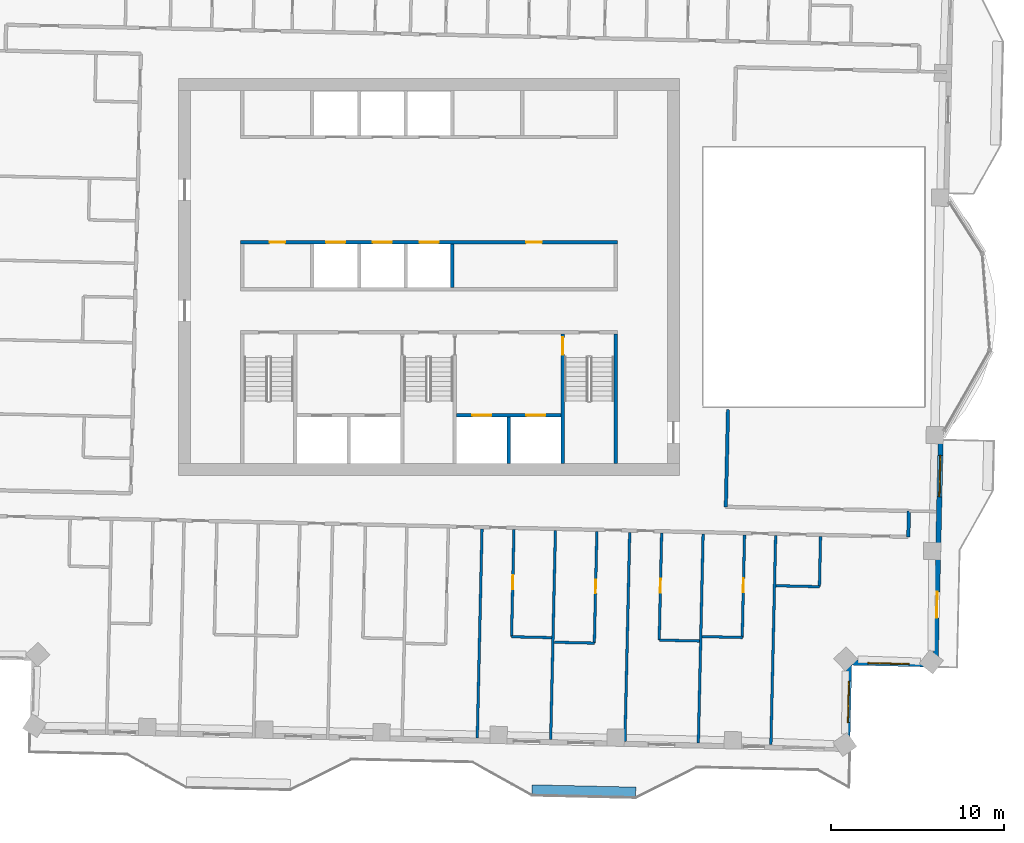
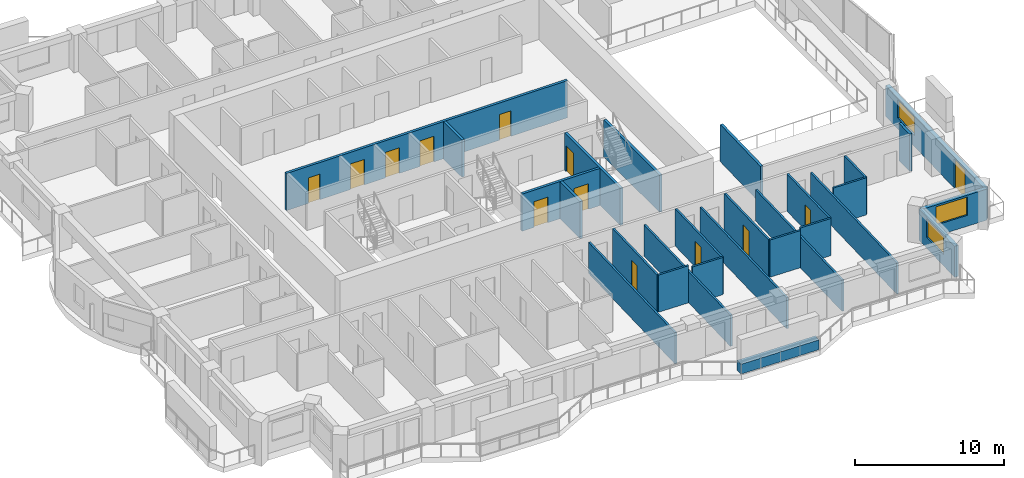
# One storey, part 9 of 17: 27 walls, 13 doors, 3 windows, 16 openings.
"""IFC4 building model written with IfcOpenShell, lengths in metres."""

from ifc_helpers import new_model, si_unit, direction, frame, frame_2d, origin, place, context, subcontext, project, spatial, rectangle, extrude, material, layer, layer_set, type_object, element, fill, save


model = new_model("IFC4")

# Units and contexts
model_context = context("Model", 3, precision=1e-05, world=origin(), true_north=direction((0.0, 1.0)))
body_context = subcontext(model_context, "Body", "Model", "MODEL_VIEW")
ifc_project = project(units=[si_unit("LENGTHUNIT", "METRE"), si_unit("AREAUNIT", "SQUARE_METRE"), si_unit("VOLUMEUNIT", "CUBIC_METRE"), si_unit("PLANEANGLEUNIT", "RADIAN"), si_unit("MASSUNIT", "GRAM", prefix="KILO")], contexts=[model_context])

# Site, building, storey
site_placement = place(None, origin())
site = spatial("IfcSite", under=ifc_project, at=site_placement, CompositionType="ELEMENT")
building_placement = place(site_placement, origin())
building = spatial("IfcBuilding", under=site, at=building_placement, Name="Mangrove Gate Tower", CompositionType="ELEMENT")
storey_placement = place(building_placement, frame((0.0, 0.0, 260.89990234375)))
storey = spatial("IfcBuildingStorey", under=building, at=storey_placement, Name="L66", CompositionType="ELEMENT", Elevation=260.89990234375)

# Wall, openings, doors
ifc_material_1 = material(Name="Concrete C60/75", Category="concrete")
ifc_layer_1 = layer(ifc_material_1, 0.199951171875)
ifc_layer_set_1 = layer_set([ifc_layer_1], Name="Core shaft wall 200 C60/75")
wall_type_1 = type_object("IfcWallType", Name="Core shaft wall 200 C60/75", PredefinedType="SHEAR", material=ifc_layer_set_1)
wall_1_placement = place(storey_placement, frame((-10.89990234375, 2.0, 0.0), z_axis=(0.0, 0.0, 1.0), x_axis=(1.0, 0.0, 0.0)))
wall_1 = element("IfcWall", 1, at=wall_1_placement, inside=storey, type_object=wall_type_1, Name="WALL-L66-CORE-7", PredefinedType="SHEAR", context=body_context, shape_type="SweptSolid", body=[
    extrude(rectangle(XDim=21.7998046875, YDim=0.199951171875, at=frame_2d((10.89990234375, 0.0))), origin(), (0.0, 0.0, 1.0), 3.050048828125),
])
opening_1_placement = place(wall_1_placement, frame((4.949951171875, 0.0, 0.0)))
opening_1 = element("IfcOpeningElement", 2, at=opening_1_placement, cuts=wall_1, Name="Opening LD", PredefinedType="OPENING", context=body_context, shape_type="SweptSolid", body=[
    extrude(rectangle(XDim=1.10009765625, YDim=2.10009765625, at=frame_2d((0.550048828125, 1.050048828125))), frame((0.0, 0.10986328125, 0.0), z_axis=(0.0, -1.0, 0.0), x_axis=(1.0, 0.0, 0.0)), (0.0, 0.0, 1.0), 0.219970703125),
])
opening_2_placement = place(wall_1_placement, frame((7.64990234375, 0.0, 0.0)))
opening_2 = element("IfcOpeningElement", 3, at=opening_2_placement, cuts=wall_1, Name="Opening LD", PredefinedType="OPENING", context=body_context, shape_type="SweptSolid", body=[
    extrude(rectangle(XDim=1.10009765625, YDim=2.10009765625, at=frame_2d((0.550048828125, 1.050048828125))), frame((0.0, 0.10986328125, 0.0), z_axis=(0.0, -1.0, 0.0), x_axis=(1.0, 0.0, 0.0)), (0.0, 0.0, 1.0), 0.219970703125),
])
opening_3_placement = place(wall_1_placement, frame((10.35009765625, 0.0, 0.0)))
opening_3 = element("IfcOpeningElement", 4, at=opening_3_placement, cuts=wall_1, Name="Opening LD", PredefinedType="OPENING", context=body_context, shape_type="SweptSolid", body=[
    extrude(rectangle(XDim=1.10009765625, YDim=2.10009765625, at=frame_2d((0.550048828125, 1.050048828125))), frame((0.0, 0.10986328125, 0.0), z_axis=(0.0, -1.0, 0.0), x_axis=(1.0, 0.0, 0.0)), (0.0, 0.0, 1.0), 0.219970703125),
])
opening_4_placement = place(wall_1_placement, frame((1.675048828125, 0.0, 0.0)))
opening_4 = element("IfcOpeningElement", 5, at=opening_4_placement, cuts=wall_1, Name="Opening KD", PredefinedType="OPENING", context=body_context, shape_type="SweptSolid", body=[
    extrude(rectangle(XDim=0.89990234375, YDim=2.10009765625, at=frame_2d((0.449951171875, 1.050048828125))), frame((0.0, 0.10986328125, 0.0), z_axis=(0.0, -1.0, 0.0), x_axis=(1.0, 0.0, 0.0)), (0.0, 0.0, 1.0), 0.219970703125),
])
opening_5_placement = place(wall_1_placement, frame((16.52490234375, 0.0, 0.0)))
opening_5 = element("IfcOpeningElement", 6, at=opening_5_placement, cuts=wall_1, Name="Opening KD", PredefinedType="OPENING", context=body_context, shape_type="SweptSolid", body=[
    extrude(rectangle(XDim=0.89990234375, YDim=2.10009765625, at=frame_2d((0.449951171875, 1.050048828125))), frame((0.0, 0.10986328125, 0.0), z_axis=(0.0, -1.0, 0.0), x_axis=(1.0, 0.0, 0.0)), (0.0, 0.0, 1.0), 0.219970703125),
])
ifc_material_2 = material(Name="Fire-rated steel door set", Category="steel")
door_type_1 = type_object("IfcDoorType", Name="Core room door FD30S 900x2100", OperationType="SINGLE_SWING_RIGHT", PredefinedType="DOOR", material=ifc_material_2)
door_1_placement = place(opening_4_placement, origin())
door_1 = element("IfcDoor", 7, at=door_1_placement, inside=storey, type_object=door_type_1, Name="Core room door Core WC", OperationType="SINGLE_SWING_RIGHT", OverallHeight=2.10009765625, OverallWidth=0.89990234375, PredefinedType="DOOR", context=body_context, shape_type="SweptSolid", body=[
    extrude(rectangle(XDim=0.89990234375, YDim=2.10009765625, at=frame_2d((0.449951171875, 1.050048828125))), frame((0.0, 0.02490234375, 0.0), z_axis=(0.0, -1.0, 0.0), x_axis=(1.0, 0.0, 0.0)), (0.0, 0.0, 1.0), 0.050048828125),
])
fill(opening_4, door_1)
door_2_placement = place(opening_5_placement, origin())
door_2 = element("IfcDoor", 8, at=door_2_placement, inside=storey, type_object=door_type_1, Name="Core room door Pantry store", OperationType="SINGLE_SWING_RIGHT", OverallHeight=2.10009765625, OverallWidth=0.89990234375, PredefinedType="DOOR", context=body_context, shape_type="SweptSolid", body=[
    extrude(rectangle(XDim=0.89990234375, YDim=2.10009765625, at=frame_2d((0.449951171875, 1.050048828125))), frame((0.0, 0.02490234375, 0.0), z_axis=(0.0, -1.0, 0.0), x_axis=(1.0, 0.0, 0.0)), (0.0, 0.0, 1.0), 0.050048828125),
])
fill(opening_5, door_2)
ifc_material_3 = material(Name="Stainless steel 316", Category="steel")
door_type_2 = type_object("IfcDoorType", Name="Lift landing door 1100x2100", OperationType="SLIDING_TO_LEFT", PredefinedType="DOOR", material=ifc_material_3)
door_3_placement = place(opening_1_placement, origin())
door_3 = element("IfcDoor", 9, at=door_3_placement, inside=storey, type_object=door_type_2, Name="Landing door LD H01", OperationType="SLIDING_TO_LEFT", OverallHeight=2.10009765625, OverallWidth=1.10009765625, PredefinedType="DOOR", context=body_context, shape_type="SweptSolid", body=[
    extrude(rectangle(XDim=1.10009765625, YDim=2.10009765625, at=frame_2d((0.550048828125, 1.050048828125))), frame((0.0, 0.02490234375, 0.0), z_axis=(0.0, -1.0, 0.0), x_axis=(1.0, 0.0, 0.0)), (0.0, 0.0, 1.0), 0.050048828125),
])
fill(opening_1, door_3)
door_4_placement = place(opening_2_placement, origin())
door_4 = element("IfcDoor", 10, at=door_4_placement, inside=storey, type_object=door_type_2, Name="Landing door LD H02", OperationType="SLIDING_TO_LEFT", OverallHeight=2.10009765625, OverallWidth=1.10009765625, PredefinedType="DOOR", context=body_context, shape_type="SweptSolid", body=[
    extrude(rectangle(XDim=1.10009765625, YDim=2.10009765625, at=frame_2d((0.550048828125, 1.050048828125))), frame((0.0, 0.02490234375, 0.0), z_axis=(0.0, -1.0, 0.0), x_axis=(1.0, 0.0, 0.0)), (0.0, 0.0, 1.0), 0.050048828125),
])
fill(opening_2, door_4)
door_5_placement = place(opening_3_placement, origin())
door_5 = element("IfcDoor", 11, at=door_5_placement, inside=storey, type_object=door_type_2, Name="Landing door LD H03", OperationType="SLIDING_TO_LEFT", OverallHeight=2.10009765625, OverallWidth=1.10009765625, PredefinedType="DOOR", context=body_context, shape_type="SweptSolid", body=[
    extrude(rectangle(XDim=1.10009765625, YDim=2.10009765625, at=frame_2d((0.550048828125, 1.050048828125))), frame((0.0, 0.02490234375, 0.0), z_axis=(0.0, -1.0, 0.0), x_axis=(1.0, 0.0, 0.0)), (0.0, 0.0, 1.0), 0.050048828125),
])
fill(opening_3, door_5)

wall_2_placement = place(storey_placement, frame((1.60009765625, -8.0, 0.0), z_axis=(0.0, 0.0, 1.0), x_axis=(1.0, 0.0, 0.0)))
wall_2 = element("IfcWall", 12, at=wall_2_placement, inside=storey, type_object=wall_type_1, Name="WALL-L66-CORE-17", PredefinedType="SHEAR", context=body_context, shape_type="SweptSolid", body=[
    extrude(rectangle(XDim=6.0498046875, YDim=0.199951171875, at=frame_2d((3.02490234375, 0.0))), origin(), (0.0, 0.0, 1.0), 3.050048828125),
])
opening_6_placement = place(wall_2_placement, frame((0.91259765625, 0.0, 0.0)))
opening_6 = element("IfcOpeningElement", 13, at=opening_6_placement, cuts=wall_2, Name="Opening LD", PredefinedType="OPENING", context=body_context, shape_type="SweptSolid", body=[
    extrude(rectangle(XDim=1.10009765625, YDim=2.10009765625, at=frame_2d((0.550048828125, 1.050048828125))), frame((0.0, 0.10986328125, 0.0), z_axis=(0.0, -1.0, 0.0), x_axis=(1.0, 0.0, 0.0)), (0.0, 0.0, 1.0), 0.219970703125),
])
opening_7_placement = place(wall_2_placement, frame((4.03759765625, 0.0, 0.0)))
opening_7 = element("IfcOpeningElement", 14, at=opening_7_placement, cuts=wall_2, Name="Opening LD", PredefinedType="OPENING", context=body_context, shape_type="SweptSolid", body=[
    extrude(rectangle(XDim=1.10009765625, YDim=2.10009765625, at=frame_2d((0.550048828125, 1.050048828125))), frame((0.0, 0.10986328125, 0.0), z_axis=(0.0, -1.0, 0.0), x_axis=(1.0, 0.0, 0.0)), (0.0, 0.0, 1.0), 0.219970703125),
])
door_6_placement = place(opening_6_placement, origin())
door_6 = element("IfcDoor", 15, at=door_6_placement, inside=storey, type_object=door_type_2, Name="Landing door LD FFL1", OperationType="SLIDING_TO_LEFT", OverallHeight=2.10009765625, OverallWidth=1.10009765625, PredefinedType="DOOR", context=body_context, shape_type="SweptSolid", body=[
    extrude(rectangle(XDim=1.10009765625, YDim=2.10009765625, at=frame_2d((0.550048828125, 1.050048828125))), frame((0.0, 0.02490234375, 0.0), z_axis=(0.0, -1.0, 0.0), x_axis=(1.0, 0.0, 0.0)), (0.0, 0.0, 1.0), 0.050048828125),
])
fill(opening_6, door_6)
door_7_placement = place(opening_7_placement, origin())
door_7 = element("IfcDoor", 16, at=door_7_placement, inside=storey, type_object=door_type_2, Name="Landing door LD FFL2", OperationType="SLIDING_TO_LEFT", OverallHeight=2.10009765625, OverallWidth=1.10009765625, PredefinedType="DOOR", context=body_context, shape_type="SweptSolid", body=[
    extrude(rectangle(XDim=1.10009765625, YDim=2.10009765625, at=frame_2d((0.550048828125, 1.050048828125))), frame((0.0, 0.02490234375, 0.0), z_axis=(0.0, -1.0, 0.0), x_axis=(1.0, 0.0, 0.0)), (0.0, 0.0, 1.0), 0.050048828125),
])
fill(opening_7, door_7)

# Walls
wall_3_placement = place(storey_placement, frame((4.625, -10.800048828125, 0.0), z_axis=(0.0, 0.0, 1.0), x_axis=(0.0, 1.0, 0.0)))
element("IfcWall", 17, at=wall_3_placement, inside=storey, type_object=wall_type_1, Name="WALL-L66-CORE-18", PredefinedType="SHEAR", context=body_context, shape_type="SweptSolid", body=[
    extrude(rectangle(XDim=2.699951171875, YDim=0.199951171875, at=frame_2d((1.35009765625, 0.0))), origin(), (0.0, 0.0, 1.0), 3.050048828125),
])
wall_4_placement = place(storey_placement, frame((1.35009765625, -0.60009765625, 0.0), z_axis=(0.0, 0.0, 1.0), x_axis=(0.0, 1.0, 0.0)))
element("IfcWall", 18, at=wall_4_placement, inside=storey, type_object=wall_type_1, Name="WALL-L66-CORE-23", PredefinedType="SHEAR", context=body_context, shape_type="SweptSolid", body=[
    extrude(rectangle(XDim=2.5, YDim=0.199951171875, at=frame_2d((1.25, 0.0))), origin(), (0.0, 0.0, 1.0), 3.050048828125),
])

# Wall, opening, door
ifc_material_4 = material(Name="Concrete C60/75", Category="concrete")
ifc_layer_2 = layer(ifc_material_4, 0.199951171875)
ifc_layer_set_2 = layer_set([ifc_layer_2], Name="Core stair wall 200 C60/75")
wall_type_2 = type_object("IfcWallType", Name="Core stair wall 200 C60/75", PredefinedType="SHEAR", material=ifc_layer_set_2)
wall_5_placement = place(storey_placement, frame((7.75, -10.800048828125, 0.0), z_axis=(0.0, 0.0, 1.0), x_axis=(0.0, 1.0, 0.0)))
wall_5 = element("IfcWall", 19, at=wall_5_placement, inside=storey, type_object=wall_type_2, Name="WALL-L66-CORE-13", PredefinedType="SHEAR", context=body_context, shape_type="SweptSolid", body=[
    extrude(rectangle(XDim=7.5, YDim=0.199951171875, at=frame_2d((3.75, 0.0))), origin(), (0.0, 0.0, 1.0), 3.050048828125),
])
opening_8_placement = place(wall_5_placement, frame((6.300048828125, 0.0, 0.0)))
opening_8 = element("IfcOpeningElement", 20, at=opening_8_placement, cuts=wall_5, Name="Opening STD10", PredefinedType="OPENING", context=body_context, shape_type="SweptSolid", body=[
    extrude(rectangle(XDim=1.0, YDim=2.10009765625, at=frame_2d((0.5, 1.050048828125))), frame((0.0, 0.10986328125, 0.0), z_axis=(0.0, -1.0, 0.0), x_axis=(1.0, 0.0, 0.0)), (0.0, 0.0, 1.0), 0.219970703125),
])
ifc_material_5 = material(Name="Fire-rated steel door set", Category="steel")
door_type_3 = type_object("IfcDoorType", Name="Stair door FD60 1000x2100", OperationType="SINGLE_SWING_RIGHT", PredefinedType="DOOR", material=ifc_material_5)
door_8_placement = place(opening_8_placement, origin())
door_8 = element("IfcDoor", 21, at=door_8_placement, inside=storey, type_object=door_type_3, Name="Stair door Stair 3 from fire-fighting lobby", OperationType="SINGLE_SWING_RIGHT", OverallHeight=2.10009765625, OverallWidth=1.0, PredefinedType="DOOR", context=body_context, shape_type="SweptSolid", body=[
    extrude(rectangle(XDim=1.0, YDim=2.10009765625, at=frame_2d((0.5, 1.050048828125))), frame((0.0, 0.02490234375, 0.0), z_axis=(0.0, -1.0, 0.0), x_axis=(1.0, 0.0, 0.0)), (0.0, 0.0, 1.0), 0.050048828125),
])
fill(opening_8, door_8)

# Walls
wall_6_placement = place(storey_placement, frame((10.800048828125, -10.800048828125, 0.0), z_axis=(0.0, 0.0, 1.0), x_axis=(0.0, 1.0, 0.0)))
element("IfcWall", 22, at=wall_6_placement, inside=storey, type_object=wall_type_2, Name="WALL-L66-CORE-14", PredefinedType="SHEAR", context=body_context, shape_type="SweptSolid", body=[
    extrude(rectangle(XDim=7.5, YDim=0.199951171875, at=frame_2d((3.75, 0.0))), origin(), (0.0, 0.0, 1.0), 3.050048828125),
])
ifc_material_6 = material(Name="Gypsum board on steel stud, EI 60", Category="steel")
ifc_layer_3 = layer(ifc_material_6, 0.199951171875)
ifc_layer_set_3 = layer_set([ifc_layer_3], Name="Corridor wall EI 60")
wall_type_3 = type_object("IfcWallType", Name="Corridor wall EI 60", PredefinedType="PARTITIONING", material=ifc_layer_set_3)
wall_7_placement = place(storey_placement, frame((27.742919921875, -15.047119140625, 0.0), z_axis=(0.0, 0.0, 1.0), x_axis=(0.022780545013, 0.999740489712, 0.0)))
element("IfcWall", 23, at=wall_7_placement, inside=storey, type_object=wall_type_3, Name="WALL-L66-034", PredefinedType="PARTITIONING", context=body_context, shape_type="SweptSolid", body=[
    extrude(rectangle(XDim=1.50048828125, YDim=0.199951171875, at=frame_2d((0.750244140625, 0.0))), origin(), (0.0, 0.0, 1.0), 3.050048828125),
])
wall_8_placement = place(storey_placement, frame((17.179931640625, -13.305908203125, 0.0), z_axis=(0.0, 0.0, 1.0), x_axis=(0.022584272568, 0.999744942789, 0.0)))
element("IfcWall", 24, at=wall_8_placement, inside=storey, type_object=wall_type_3, Name="WALL-L66-039", PredefinedType="PARTITIONING", context=body_context, shape_type="SweptSolid", body=[
    extrude(rectangle(XDim=5.621337890625, YDim=0.199951171875, at=frame_2d((2.810546875, 0.0))), origin(), (0.0, 0.0, 1.0), 3.050048828125),
])

# Wall, openings, door, window
ifc_material_7 = material(Name="Limestone", Category="masonry")
ifc_layer_4 = layer(ifc_material_7, 0.0400390625, Name="Limestone cladding")
ifc_material_8 = material(Name="Ventilated air gap")
ifc_layer_5 = layer(ifc_material_8, 0.0400390625, Name="Ventilated cavity")
ifc_material_9 = material(Name="Mineral wool insulation")
ifc_layer_6 = layer(ifc_material_9, 0.06005859375, Name="Insulation")
ifc_material_10 = material(Name="Breather membrane")
ifc_layer_7 = layer(ifc_material_10, 0.001953125, Name="Breather membrane")
ifc_material_11 = material(Name="Concrete C20/25 blockwork", Category="masonry")
ifc_layer_8 = layer(ifc_material_11, 0.14990234375, Name="Blockwork backing wall")
ifc_material_12 = material(Name="Gypsum plaster")
ifc_layer_9 = layer(ifc_material_12, 0.008056640625, Name="Internal plaster")
ifc_layer_set_4 = layer_set([ifc_layer_4, ifc_layer_5, ifc_layer_6, ifc_layer_7, ifc_layer_8, ifc_layer_9], Name="External wall 300 limestone cladding")
wall_type_4 = type_object("IfcWallType", Name="External wall 300 limestone cladding", PredefinedType="SOLIDWALL", material=ifc_layer_set_4)
wall_9_placement = place(storey_placement, frame((29.322021484375, -22.43408203125, 0.0), z_axis=(0.0, 0.0, 1.0), x_axis=(0.022651350875, 0.999743425236, 0.0)))
wall_9 = element("IfcWall", 25, at=wall_9_placement, inside=storey, type_object=wall_type_4, Name="WALL-L66-E0s1", PredefinedType="SOLIDWALL", context=body_context, shape_type="SweptSolid", body=[
    extrude(rectangle(XDim=13.7744140625, YDim=0.300048828125, at=frame_2d((6.88720703125, 0.0))), origin(), (0.0, 0.0, 1.0), 2.550048828125),
])
opening_9_placement = place(wall_9_placement, frame((2.705078125, 0.0, 0.0)))
opening_9 = element("IfcOpeningElement", 26, at=opening_9_placement, cuts=wall_9, Name="Opening BD1", PredefinedType="OPENING", context=body_context, shape_type="SweptSolid", body=[
    extrude(rectangle(XDim=1.5, YDim=2.39990234375, at=frame_2d((0.75, 1.199951171875))), frame((0.0, 0.159912109375, 0.0), z_axis=(0.0, -1.0, 0.0), x_axis=(1.0, 0.0, 0.0)), (0.0, 0.0, 1.0), 0.320068359375),
])
opening_10_placement = place(wall_9_placement, frame((9.712890625, 0.0, 0.89990234375)))
opening_10 = element("IfcOpeningElement", 27, at=opening_10_placement, cuts=wall_9, Name="Opening W2", PredefinedType="OPENING", context=body_context, shape_type="SweptSolid", body=[
    extrude(rectangle(XDim=2.39990234375, YDim=1.5, at=frame_2d((1.199951171875, 0.75))), frame((0.0, 0.159912109375, 0.0), z_axis=(0.0, -1.0, 0.0), x_axis=(1.0, 0.0, 0.0)), (0.0, 0.0, 1.0), 0.320068359375),
])
ifc_material_13 = material(Name="Aluminium frame with laminated clear glass", Category="aluminium")
door_type_4 = type_object("IfcDoorType", Name="Balcony sliding door 1500x2400", OperationType="SLIDING_TO_LEFT", PredefinedType="DOOR", material=ifc_material_13)
door_9_placement = place(opening_9_placement, origin())
door_9 = element("IfcDoor", 28, at=door_9_placement, inside=storey, type_object=door_type_4, Name="DOOR-L66-E0-1", OperationType="SLIDING_TO_LEFT", OverallHeight=2.39990234375, OverallWidth=1.5, PredefinedType="DOOR", context=body_context, shape_type="SweptSolid", body=[
    extrude(rectangle(XDim=1.5, YDim=2.39990234375, at=frame_2d((0.75, 1.199951171875))), frame((0.0, 0.02490234375, 0.0), z_axis=(0.0, -1.0, 0.0), x_axis=(1.0, 0.0, 0.0)), (0.0, 0.0, 1.0), 0.050048828125),
])
fill(opening_9, door_9)
ifc_material_14 = material(Name="Aluminium frame with double-glazed low-e glass", Category="aluminium")
window_type = type_object("IfcWindowType", Name="Corner room window 2400x1500", PartitioningType="DOUBLE_PANEL_VERTICAL", PredefinedType="WINDOW", material=ifc_material_14)
window_1_placement = place(opening_10_placement, origin())
window_1 = element("IfcWindow", 29, at=window_1_placement, inside=storey, type_object=window_type, Name="WIN-L66-E0-2", OverallHeight=1.5, OverallWidth=2.39990234375, PartitioningType="DOUBLE_PANEL_VERTICAL", PredefinedType="WINDOW", context=body_context, shape_type="SweptSolid", body=[
    extrude(rectangle(XDim=2.39990234375, YDim=1.5, at=frame_2d((1.199951171875, 0.75))), frame((0.0, 0.030029296875, 0.0), z_axis=(0.0, -1.0, 0.0), x_axis=(1.0, 0.0, 0.0)), (0.0, 0.0, 1.0), 0.06005859375),
])
fill(opening_10, window_1)

# Wall, opening, window
wall_10_placement = place(storey_placement, frame((24.208984375, -27.320068359375, 0.0), z_axis=(0.0, 0.0, 1.0), x_axis=(0.022801259434, 0.999740017489, 0.0)))
wall_10 = element("IfcWall", 30, at=wall_10_placement, inside=storey, type_object=wall_type_4, Name="WALL-L66-E14", PredefinedType="SOLIDWALL", context=body_context, shape_type="SweptSolid", body=[
    extrude(rectangle(XDim=5.000244140625, YDim=0.300048828125, at=frame_2d((2.5, 0.0))), origin(), (0.0, 0.0, 1.0), 2.550048828125),
])
opening_11_placement = place(wall_10_placement, frame((1.52392578125, 0.0, 0.89990234375)))
opening_11 = element("IfcOpeningElement", 31, at=opening_11_placement, cuts=wall_10, Name="Opening W2", PredefinedType="OPENING", context=body_context, shape_type="SweptSolid", body=[
    extrude(rectangle(XDim=2.39990234375, YDim=1.5, at=frame_2d((1.199951171875, 0.75))), frame((0.0, 0.159912109375, 0.0), z_axis=(0.0, -1.0, 0.0), x_axis=(1.0, 0.0, 0.0)), (0.0, 0.0, 1.0), 0.320068359375),
])
window_2_placement = place(opening_11_placement, origin())
window_2 = element("IfcWindow", 32, at=window_2_placement, inside=storey, type_object=window_type, Name="WIN-L66-E14-1", OverallHeight=1.5, OverallWidth=2.39990234375, PartitioningType="DOUBLE_PANEL_VERTICAL", PredefinedType="WINDOW", context=body_context, shape_type="SweptSolid", body=[
    extrude(rectangle(XDim=2.39990234375, YDim=1.5, at=frame_2d((1.199951171875, 0.75))), frame((0.0, 0.030029296875, 0.0), z_axis=(0.0, -1.0, 0.0), x_axis=(1.0, 0.0, 0.0)), (0.0, 0.0, 1.0), 0.06005859375),
])
fill(opening_11, window_2)

wall_11_placement = place(storey_placement, frame((24.322998046875, -22.321044921875, 0.0), z_axis=(0.0, 0.0, 1.0), x_axis=(0.999744450377, -0.022606059803, 0.0)))
wall_11 = element("IfcWall", 33, at=wall_11_placement, inside=storey, type_object=wall_type_4, Name="WALL-L66-S15", PredefinedType="SOLIDWALL", context=body_context, shape_type="SweptSolid", body=[
    extrude(rectangle(XDim=5.000244140625, YDim=0.300048828125, at=frame_2d((2.5, 0.0))), origin(), (0.0, 0.0, 1.0), 2.550048828125),
])
opening_12_placement = place(wall_11_placement, frame((1.075927734375, 0.0, 0.89990234375)))
opening_12 = element("IfcOpeningElement", 34, at=opening_12_placement, cuts=wall_11, Name="Opening W2", PredefinedType="OPENING", context=body_context, shape_type="SweptSolid", body=[
    extrude(rectangle(XDim=2.39990234375, YDim=1.5, at=frame_2d((1.199951171875, 0.75))), frame((0.0, 0.159912109375, 0.0), z_axis=(0.0, -1.0, 0.0), x_axis=(1.0, 0.0, 0.0)), (0.0, 0.0, 1.0), 0.320068359375),
])
window_3_placement = place(opening_12_placement, origin())
window_3 = element("IfcWindow", 35, at=window_3_placement, inside=storey, type_object=window_type, Name="WIN-L66-S15-1", OverallHeight=1.5, OverallWidth=2.39990234375, PartitioningType="DOUBLE_PANEL_VERTICAL", PredefinedType="WINDOW", context=body_context, shape_type="SweptSolid", body=[
    extrude(rectangle(XDim=2.39990234375, YDim=1.5, at=frame_2d((1.199951171875, 0.75))), frame((0.0, 0.030029296875, 0.0), z_axis=(0.0, -1.0, 0.0), x_axis=(1.0, 0.0, 0.0)), (0.0, 0.0, 1.0), 0.06005859375),
])
fill(opening_12, window_3)

# Walls
ifc_material_15 = material(Name="Gypsum board on steel stud, EI 60", Category="steel")
ifc_layer_10 = layer(ifc_material_15, 0.14990234375)
ifc_layer_set_5 = layer_set([ifc_layer_10], Name="Party wall 150 EI 60")
wall_type_5 = type_object("IfcWallType", Name="Party wall 150 EI 60", PredefinedType="PARTITIONING", material=ifc_layer_set_5)
wall_12_placement = place(storey_placement, frame((2.7919921875, -26.68408203125, 0.0), z_axis=(0.0, 0.0, 1.0), x_axis=(0.022718655443, 0.999741898039, 0.0)))
element("IfcWall", 36, at=wall_12_placement, inside=storey, type_object=wall_type_5, Name="WALL-L66-006", PredefinedType="PARTITIONING", context=body_context, shape_type="SweptSolid", body=[
    extrude(rectangle(XDim=12.100341796875, YDim=0.14990234375, at=frame_2d((6.05029296875, 0.0))), origin(), (0.0, 0.0, 1.0), 2.550048828125),
])
for number, where, z_axis, x_axis, name in (
    (37, (7.041015625, -26.780029296875, 0.0), (0.0, 0.0, 1.0), (0.022719113715, 0.999741887625, 0.0), "WALL-L66-007"),
    (38, (11.340087890625, -26.8779296875, 0.0), (0.0, 0.0, 1.0), (0.022719113715, 0.999741887625, 0.0), "WALL-L66-008"),
):
    element("IfcWall", number, at=place(storey_placement, frame(where, z_axis=z_axis, x_axis=x_axis)), inside=storey, type_object=wall_type_5, Name=name, PredefinedType="PARTITIONING", context=body_context, shape_type="SweptSolid", body=[
        extrude(rectangle(XDim=12.10009765625, YDim=0.14990234375, at=frame_2d((6.050048828125, 0.0))), origin(), (0.0, 0.0, 1.0), 2.550048828125),
    ])
wall_13_placement = place(storey_placement, frame((15.589111328125, -26.97412109375, 0.0), z_axis=(0.0, 0.0, 1.0), x_axis=(0.022718655443, 0.999741898039, 0.0)))
element("IfcWall", 39, at=wall_13_placement, inside=storey, type_object=wall_type_5, Name="WALL-L66-009", PredefinedType="PARTITIONING", context=body_context, shape_type="SweptSolid", body=[
    extrude(rectangle(XDim=12.100341796875, YDim=0.14990234375, at=frame_2d((6.05029296875, 0.0))), origin(), (0.0, 0.0, 1.0), 2.550048828125),
])
wall_14_placement = place(storey_placement, frame((19.7880859375, -27.070068359375, 0.0), z_axis=(0.0, 0.0, 1.0), x_axis=(0.022716822539, 0.999741939689, 0.0)))
element("IfcWall", 40, at=wall_14_placement, inside=storey, type_object=wall_type_5, Name="WALL-L66-010", PredefinedType="PARTITIONING", context=body_context, shape_type="SweptSolid", body=[
    extrude(rectangle(XDim=12.101318359375, YDim=0.14990234375, at=frame_2d((6.05078125, 0.0))), origin(), (0.0, 0.0, 1.0), 2.550048828125),
])
wall_15_placement = place(storey_placement, frame((7.248046875, -21.14306640625, 0.0), z_axis=(0.0, 0.0, 1.0), x_axis=(0.999740478815, -0.022781023197, 0.0)))
element("IfcWall", 41, at=wall_15_placement, inside=storey, type_object=wall_type_5, Name="WALL-L66-018", PredefinedType="PARTITIONING", context=body_context, shape_type="SweptSolid", body=[
    extrude(rectangle(XDim=2.325439453125, YDim=0.14990234375, at=frame_2d((1.16259765625, 0.0))), origin(), (0.0, 0.0, 1.0), 3.050048828125),
])

# Wall, opening, door
wall_16_placement = place(storey_placement, frame((9.569091796875, -21.196044921875, 0.0), z_axis=(0.0, 0.0, 1.0), x_axis=(0.022597796078, 0.999744637201, 0.0)))
wall_16 = element("IfcWall", 42, at=wall_16_placement, inside=storey, type_object=wall_type_5, Name="WALL-L66-019", PredefinedType="PARTITIONING", context=body_context, shape_type="SweptSolid", body=[
    extrude(rectangle(XDim=6.460693359375, YDim=0.14990234375, at=frame_2d((3.23046875, 0.0))), origin(), (0.0, 0.0, 1.0), 3.050048828125),
])
opening_13_placement = place(wall_16_placement, frame((2.8798828125, 0.0, 0.0)))
opening_13 = element("IfcOpeningElement", 43, at=opening_13_placement, cuts=wall_16, Name="Opening ED", PredefinedType="OPENING", context=body_context, shape_type="SweptSolid", body=[
    extrude(rectangle(XDim=0.800048828125, YDim=2.10009765625, at=frame_2d((0.39990234375, 1.050048828125))), frame((0.0, 0.0849609375, 0.0), z_axis=(0.0, -1.0, 0.0), x_axis=(1.0, 0.0, 0.0)), (0.0, 0.0, 1.0), 0.169921875),
])
ifc_material_16 = material(Name="Timber door leaf", Category="wood")
door_type_5 = type_object("IfcDoorType", Name="En-suite door 800", OperationType="SINGLE_SWING_LEFT", PredefinedType="DOOR", material=ifc_material_16)
door_10_placement = place(opening_13_placement, origin())
door_10 = element("IfcDoor", 44, at=door_10_placement, inside=storey, type_object=door_type_5, Name="DOOR-L66-ENS-c207", OperationType="SINGLE_SWING_LEFT", OverallHeight=2.10009765625, OverallWidth=0.800048828125, PredefinedType="DOOR", context=body_context, shape_type="SweptSolid", body=[
    extrude(rectangle(XDim=0.800048828125, YDim=2.10009765625, at=frame_2d((0.39990234375, 1.050048828125))), frame((0.0, 0.02490234375, 0.0), z_axis=(0.0, -1.0, 0.0), x_axis=(1.0, 0.0, 0.0)), (0.0, 0.0, 1.0), 0.050048828125),
])
fill(opening_13, door_10)

wall_17_placement = place(storey_placement, frame((4.77587890625, -20.826904296875, 0.0), z_axis=(0.0, 0.0, 1.0), x_axis=(0.022604220207, 0.999744491972, 0.0)))
wall_17 = element("IfcWall", 45, at=wall_17_placement, inside=storey, type_object=wall_type_5, Name="WALL-L66-020", PredefinedType="PARTITIONING", context=body_context, shape_type="SweptSolid", body=[
    extrude(rectangle(XDim=6.199462890625, YDim=0.14990234375, at=frame_2d((3.099609375, 0.0))), origin(), (0.0, 0.0, 1.0), 3.050048828125),
])
opening_14_placement = place(wall_17_placement, frame((2.75, 0.0, 0.0)))
opening_14 = element("IfcOpeningElement", 46, at=opening_14_placement, cuts=wall_17, Name="Opening ED", PredefinedType="OPENING", context=body_context, shape_type="SweptSolid", body=[
    extrude(rectangle(XDim=0.800048828125, YDim=2.10009765625, at=frame_2d((0.39990234375, 1.050048828125))), frame((0.0, 0.0849609375, 0.0), z_axis=(0.0, -1.0, 0.0), x_axis=(1.0, 0.0, 0.0)), (0.0, 0.0, 1.0), 0.169921875),
])
door_11_placement = place(opening_14_placement, origin())
door_11 = element("IfcDoor", 47, at=door_11_placement, inside=storey, type_object=door_type_5, Name="DOOR-L66-ENS-c206", OperationType="SINGLE_SWING_RIGHT", OverallHeight=2.10009765625, OverallWidth=0.800048828125, PredefinedType="DOOR", context=body_context, shape_type="SweptSolid", body=[
    extrude(rectangle(XDim=0.800048828125, YDim=2.10009765625, at=frame_2d((0.39990234375, 1.050048828125))), frame((0.0, 0.02490234375, 0.0), z_axis=(0.0, -1.0, 0.0), x_axis=(1.0, 0.0, 0.0)), (0.0, 0.0, 1.0), 0.050048828125),
])
fill(opening_14, door_11)

# Wall
wall_18_placement = place(storey_placement, frame((4.780029296875, -20.826904296875, 0.0), z_axis=(0.0, 0.0, 1.0), x_axis=(0.999740260747, -0.02279059109, 0.0)))
element("IfcWall", 48, at=wall_18_placement, inside=storey, type_object=wall_type_5, Name="WALL-L66-021", PredefinedType="PARTITIONING", context=body_context, shape_type="SweptSolid", body=[
    extrude(rectangle(XDim=2.324462890625, YDim=0.14990234375, at=frame_2d((1.162109375, 0.0))), origin(), (0.0, 0.0, 1.0), 3.050048828125),
])

# Wall, opening, door
wall_19_placement = place(storey_placement, frame((13.323974609375, -21.02099609375, 0.0), z_axis=(0.0, 0.0, 1.0), x_axis=(0.022604220207, 0.999744491972, 0.0)))
wall_19 = element("IfcWall", 49, at=wall_19_placement, inside=storey, type_object=wall_type_5, Name="WALL-L66-022", PredefinedType="PARTITIONING", context=body_context, shape_type="SweptSolid", body=[
    extrude(rectangle(XDim=6.199462890625, YDim=0.14990234375, at=frame_2d((3.099609375, 0.0))), origin(), (0.0, 0.0, 1.0), 3.050048828125),
])
opening_15_placement = place(wall_19_placement, frame((2.75, 0.0, 0.0)))
opening_15 = element("IfcOpeningElement", 50, at=opening_15_placement, cuts=wall_19, Name="Opening ED", PredefinedType="OPENING", context=body_context, shape_type="SweptSolid", body=[
    extrude(rectangle(XDim=0.800048828125, YDim=2.10009765625, at=frame_2d((0.39990234375, 1.050048828125))), frame((0.0, 0.0849609375, 0.0), z_axis=(0.0, -1.0, 0.0), x_axis=(1.0, 0.0, 0.0)), (0.0, 0.0, 1.0), 0.169921875),
])
door_12_placement = place(opening_15_placement, origin())
door_12 = element("IfcDoor", 51, at=door_12_placement, inside=storey, type_object=door_type_5, Name="DOOR-L66-ENS-c308", OperationType="SINGLE_SWING_RIGHT", OverallHeight=2.10009765625, OverallWidth=0.800048828125, PredefinedType="DOOR", context=body_context, shape_type="SweptSolid", body=[
    extrude(rectangle(XDim=0.800048828125, YDim=2.10009765625, at=frame_2d((0.39990234375, 1.050048828125))), frame((0.0, 0.02490234375, 0.0), z_axis=(0.0, -1.0, 0.0), x_axis=(1.0, 0.0, 0.0)), (0.0, 0.0, 1.0), 0.050048828125),
])
fill(opening_15, door_12)

# Walls
wall_20_placement = place(storey_placement, frame((13.327880859375, -21.02099609375, 0.0), z_axis=(0.0, 0.0, 1.0), x_axis=(0.99974031529, -0.022788198363, 0.0)))
element("IfcWall", 52, at=wall_20_placement, inside=storey, type_object=wall_type_5, Name="WALL-L66-023", PredefinedType="PARTITIONING", context=body_context, shape_type="SweptSolid", body=[
    extrude(rectangle(XDim=2.32470703125, YDim=0.14990234375, at=frame_2d((1.162353515625, 0.0))), origin(), (0.0, 0.0, 1.0), 3.050048828125),
])
wall_21_placement = place(storey_placement, frame((15.80810546875, -20.81689453125, 0.0), z_axis=(0.0, 0.0, 1.0), x_axis=(0.999737862264, -0.022895561926, 0.0)))
element("IfcWall", 53, at=wall_21_placement, inside=storey, type_object=wall_type_5, Name="WALL-L66-026", PredefinedType="PARTITIONING", context=body_context, shape_type="SweptSolid", body=[
    extrude(rectangle(XDim=2.324462890625, YDim=0.14990234375, at=frame_2d((1.162109375, 0.0))), origin(), (0.0, 0.0, 1.0), 3.050048828125),
])

# Wall, opening, door
wall_22_placement = place(storey_placement, frame((18.1279296875, -20.8701171875, 0.0), z_axis=(0.0, 0.0, 1.0), x_axis=(0.022726072939, 0.999741729453, 0.0)))
wall_22 = element("IfcWall", 54, at=wall_22_placement, inside=storey, type_object=wall_type_5, Name="WALL-L66-027", PredefinedType="PARTITIONING", context=body_context, shape_type="SweptSolid", body=[
    extrude(rectangle(XDim=5.940673828125, YDim=0.14990234375, at=frame_2d((2.97021484375, 0.0))), origin(), (0.0, 0.0, 1.0), 3.050048828125),
])
opening_16_placement = place(wall_22_placement, frame((2.6201171875, 0.0, 0.0)))
opening_16 = element("IfcOpeningElement", 55, at=opening_16_placement, cuts=wall_22, Name="Opening ED", PredefinedType="OPENING", context=body_context, shape_type="SweptSolid", body=[
    extrude(rectangle(XDim=0.800048828125, YDim=2.10009765625, at=frame_2d((0.39990234375, 1.050048828125))), frame((0.0, 0.0849609375, 0.0), z_axis=(0.0, -1.0, 0.0), x_axis=(1.0, 0.0, 0.0)), (0.0, 0.0, 1.0), 0.169921875),
])
door_13_placement = place(opening_16_placement, origin())
door_13 = element("IfcDoor", 56, at=door_13_placement, inside=storey, type_object=door_type_5, Name="DOOR-L66-ENS-c309", OperationType="SINGLE_SWING_LEFT", OverallHeight=2.10009765625, OverallWidth=0.800048828125, PredefinedType="DOOR", context=body_context, shape_type="SweptSolid", body=[
    extrude(rectangle(XDim=0.800048828125, YDim=2.10009765625, at=frame_2d((0.39990234375, 1.050048828125))), frame((0.0, 0.02490234375, 0.0), z_axis=(0.0, -1.0, 0.0), x_axis=(1.0, 0.0, 0.0)), (0.0, 0.0, 1.0), 0.050048828125),
])
fill(opening_16, door_13)

# Walls
wall_23_placement = place(storey_placement, frame((20.075927734375, -17.873046875, 0.0), z_axis=(0.0, 0.0, 1.0), x_axis=(0.99973737352, -0.022916893077, 0.0)))
element("IfcWall", 57, at=wall_23_placement, inside=storey, type_object=wall_type_5, Name="WALL-L66-028", PredefinedType="PARTITIONING", context=body_context, shape_type="SweptSolid", body=[
    extrude(rectangle(XDim=2.52490234375, YDim=0.14990234375, at=frame_2d((1.262451171875, 0.0))), origin(), (0.0, 0.0, 1.0), 3.050048828125),
])
wall_24_placement = place(storey_placement, frame((22.595947265625, -17.930908203125, 0.0), z_axis=(0.0, 0.0, 1.0), x_axis=(0.022809352981, 0.999739832865, 0.0)))
element("IfcWall", 58, at=wall_24_placement, inside=storey, type_object=wall_type_5, Name="WALL-L66-029", PredefinedType="PARTITIONING", context=body_context, shape_type="SweptSolid", body=[
    extrude(rectangle(XDim=2.900634765625, YDim=0.14990234375, at=frame_2d((1.4501953125, 0.0))), origin(), (0.0, 0.0, 1.0), 3.050048828125),
])
ifc_material_17 = material(Name="Concrete C32/40", Category="concrete")
ifc_layer_11 = layer(ifc_material_17, 0.199951171875, Name="Planter trough wall")
ifc_material_18 = material(Name="Bituminous waterproofing membrane")
ifc_layer_12 = layer(ifc_material_18, 0.0048828125, Name="Waterproofing")
ifc_material_19 = material(Name="Drainage board and gravel")
ifc_layer_13 = layer(ifc_material_19, 0.044921875, Name="Drainage layer")
ifc_material_20 = material(Name="Planting soil")
ifc_layer_14 = layer(ifc_material_20, 0.300048828125, Name="Growing medium")
ifc_layer_set_6 = layer_set([ifc_layer_11, ifc_layer_12, ifc_layer_13, ifc_layer_14], Name="Planter wall 550 C32/40")
wall_type_6 = type_object("IfcWallType", Name="Planter wall 550 C32/40", PredefinedType="USERDEFINED", material=ifc_layer_set_6)
wall_25_placement = place(storey_placement, frame((5.965087890625, -29.6708984375, 0.0), z_axis=(0.0, 0.0, 1.0), x_axis=(0.999743178102, -0.022662255828, 0.0)))
element("IfcWall", 59, at=wall_25_placement, inside=storey, type_object=wall_type_6, Name="PLANTER L66 S1.1", ObjectType="PLANTER", PredefinedType="USERDEFINED", context=body_context, shape_type="SweptSolid", body=[
    extrude(rectangle(XDim=6.00048828125, YDim=0.550048828125, at=frame_2d((3.000244140625, 0.0))), origin(), (0.0, 0.0, 1.0), 0.800048828125),
])

save(model, "model.ifc")
